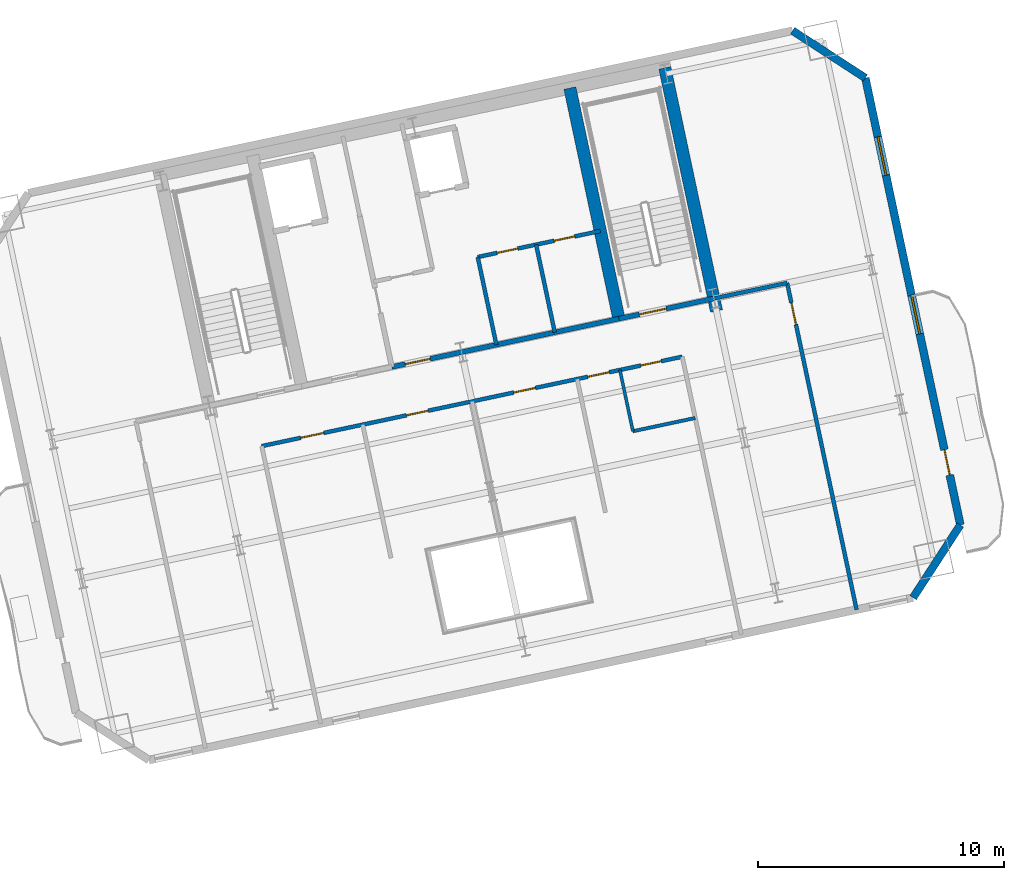
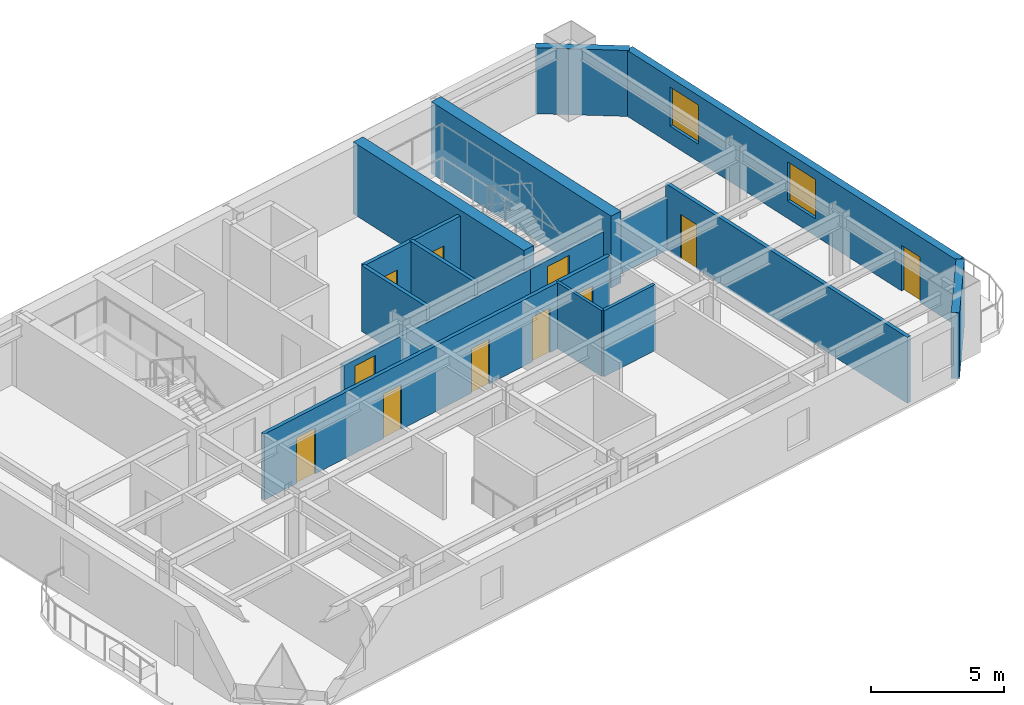
# One storey, part 9 of 14: 15 walls, 11 doors, 2 windows, 13 openings.
"""IFC4 building model written with IfcOpenShell, lengths in metres."""

from ifc_helpers import new_model, si_unit, direction, frame, frame_2d, origin, place, context, subcontext, project, spatial, rectangle, extrude, material, layer, layer_set, type_object, element, fill, save


model = new_model("IFC4")

# Units and contexts
model_context = context("Model", 3, precision=1e-05, world=origin(), true_north=direction((0.0, 1.0)))
body_context = subcontext(model_context, "Body", "Model", "MODEL_VIEW")
ifc_project = project(units=[si_unit("LENGTHUNIT", "METRE"), si_unit("AREAUNIT", "SQUARE_METRE"), si_unit("VOLUMEUNIT", "CUBIC_METRE"), si_unit("PLANEANGLEUNIT", "RADIAN"), si_unit("MASSUNIT", "GRAM", prefix="KILO")], contexts=[model_context])

# Site, building, storey
site_placement = place(None, origin())
site = spatial("IfcSite", under=ifc_project, at=site_placement, CompositionType="ELEMENT")
building_placement = place(site_placement, origin())
building = spatial("IfcBuilding", under=site, at=building_placement, Name="Haevon Station Towers", CompositionType="ELEMENT")
storey_placement = place(building_placement, frame((0.0, 0.0, 119.699951171875)))
storey = spatial("IfcBuildingStorey", under=building, at=storey_placement, Name="L32", CompositionType="ELEMENT", Elevation=119.699951171875)

# Wall, opening, door
ifc_material_1 = material(Name="Gypsum board on steel stud", Category="steel")
ifc_layer_1 = layer(ifc_material_1, 0.199951171875)
ifc_layer_set_1 = layer_set([ifc_layer_1], Name="Gypsum board on steel stud")
wall_type_1 = type_object("IfcWallType", Name="WL-COR200", PredefinedType="PARTITIONING", material=ifc_layer_set_1)
wall_1_placement = place(storey_placement, frame((115.4296875, 40.9873046875, 0.0), z_axis=(0.0, 0.0, 1.0), x_axis=(0.978146596989, 0.207916413008, 0.0)))
wall_1 = element("IfcWall", 1, at=wall_1_placement, inside=storey, type_object=wall_type_1, Name="WL-ST-ST4-L32", PredefinedType="PARTITIONING", context=body_context, shape_type="SweptSolid", body=[
    extrude(rectangle(XDim=3.9501953125, YDim=0.199951171875, at=frame_2d((1.97509765625, 0.0))), origin(), (0.0, 0.0, 1.0), 2.380126953125),
])
opening_1_placement = place(wall_1_placement, frame((0.85009765625, 0.0, 0.0)))
opening_1 = element("IfcOpeningElement", 2, at=opening_1_placement, cuts=wall_1, Name="Opening DR-ST-ST4-L32", PredefinedType="OPENING", context=body_context, shape_type="SweptSolid", body=[
    extrude(rectangle(XDim=1.1201171875, YDim=2.10009765625, at=frame_2d((0.56005859375, 1.050048828125))), frame((0.0, 0.10986328125, 0.0), z_axis=(0.0, -1.0, 0.0), x_axis=(1.0, 0.0, 0.0)), (0.0, 0.0, 1.0), 0.219970703125),
])
ifc_material_2 = material(Name="Engineered oak timber", Category="wood")
door_type_1 = type_object("IfcDoorType", Name="DR-ST-1120", OperationType="NOTDEFINED", PredefinedType="DOOR", material=ifc_material_2)
door_1_placement = place(opening_1_placement, origin())
door_1 = element("IfcDoor", 3, at=door_1_placement, inside=storey, type_object=door_type_1, Name="L32 Escape Stair ST4 Fire Door", OperationType="SINGLE_SWING_LEFT", OverallHeight=2.10009765625, OverallWidth=1.1201171875, PredefinedType="DOOR", context=body_context, shape_type="SweptSolid", body=[
    extrude(rectangle(XDim=1.1201171875, YDim=2.10009765625, at=frame_2d((0.56005859375, 1.050048828125))), frame((0.0, 0.02490234375, 0.0), z_axis=(0.0, -1.0, 0.0), x_axis=(1.0, 0.0, 0.0)), (0.0, 0.0, 1.0), 0.050048828125),
])
fill(opening_1, door_1)

wall_2_placement = place(storey_placement, frame((106.186279296875, 39.0224609375, 0.0), z_axis=(0.0, 0.0, 1.0), x_axis=(0.978145519981, 0.20792147975, 0.0)))
wall_2 = element("IfcWall", 4, at=wall_2_placement, inside=storey, type_object=wall_type_1, Name="WL-T2CLB-L32", PredefinedType="PARTITIONING", context=body_context, shape_type="SweptSolid", body=[
    extrude(rectangle(XDim=9.449951171875, YDim=0.199951171875, at=frame_2d((4.72509765625, 0.0))), origin(), (0.0, 0.0, 1.0), 2.380126953125),
])
opening_2_placement = place(wall_2_placement, frame((0.550048828125, 0.0, 0.0)))
opening_2 = element("IfcOpeningElement", 5, at=opening_2_placement, cuts=wall_2, Name="Opening DR-T2CLB-L32-1", PredefinedType="OPENING", context=body_context, shape_type="SweptSolid", body=[
    extrude(rectangle(XDim=1.050048828125, YDim=2.10009765625, at=frame_2d((0.52490234375, 1.050048828125))), frame((0.0, 0.10986328125, 0.0), z_axis=(0.0, -1.0, 0.0), x_axis=(1.0, 0.0, 0.0)), (0.0, 0.0, 1.0), 0.219970703125),
])
door_type_2 = type_object("IfcDoorType", Name="DR-FD60-1050", OperationType="NOTDEFINED", PredefinedType="DOOR", material=ifc_material_2)
door_2_placement = place(opening_2_placement, origin())
door_2 = element("IfcDoor", 6, at=door_2_placement, inside=storey, type_object=door_type_2, Name="L32 Tower 2 Core Lift Lobby Door 1", OperationType="SINGLE_SWING_RIGHT", OverallHeight=2.10009765625, OverallWidth=1.050048828125, PredefinedType="DOOR", context=body_context, shape_type="SweptSolid", body=[
    extrude(rectangle(XDim=1.050048828125, YDim=2.10009765625, at=frame_2d((0.52490234375, 1.050048828125))), frame((0.0, 0.02490234375, 0.0), z_axis=(0.0, -1.0, 0.0), x_axis=(1.0, 0.0, 0.0)), (0.0, 0.0, 1.0), 0.050048828125),
])
fill(opening_2, door_2)

# Walls
ifc_material_3 = material(Name="Concrete C60/75", Category="concrete")
ifc_layer_2 = layer(ifc_material_3, 0.5)
ifc_layer_set_2 = layer_set([ifc_layer_2], Name="Concrete C60/75")
wall_type_2 = type_object("IfcWallType", Name="WL-CR500", PredefinedType="SHEAR", material=ifc_layer_set_2)
wall_3_placement = place(storey_placement, frame((119.401611328125, 41.2998046875, 0.0), z_axis=(0.0, 0.0, 1.0), x_axis=(-0.207904342798, 0.978149162575, 0.0)))
element("IfcWall", 7, at=wall_3_placement, inside=storey, type_object=wall_type_2, Name="WL-T2CR-L32-E", PredefinedType="SHEAR", context=body_context, shape_type="SweptSolid", body=[
    extrude(rectangle(XDim=10.1201171875, YDim=0.5, at=frame_2d((5.06005859375, 0.0))), origin(), (0.0, 0.0, 1.0), 3.300048828125),
])
wall_4_placement = place(storey_placement, frame((115.4296875, 40.9873046875, 0.0), z_axis=(0.0, 0.0, 1.0), x_axis=(-0.207903162969, 0.978149413345, 0.0)))
element("IfcWall", 8, at=wall_4_placement, inside=storey, type_object=wall_type_2, Name="WL-T2CR-L32-M2", PredefinedType="SHEAR", context=body_context, shape_type="SweptSolid", body=[
    extrude(rectangle(XDim=9.599853515625, YDim=0.5, at=frame_2d((4.7998046875, 0.0))), origin(), (0.0, 0.0, 1.0), 3.300048828125),
])
ifc_material_4 = material(Name="Precast concrete C45/55", Category="concrete")
ifc_layer_3 = layer(ifc_material_4, 0.320068359375)
ifc_layer_set_3 = layer_set([ifc_layer_3], Name="Precast concrete C45/55")
wall_type_3 = type_object("IfcWallType", Name="WL-EXT-PIER320", PredefinedType="SOLIDWALL", material=ifc_layer_set_3)
wall_5_placement = place(storey_placement, frame((122.496337890625, 52.712646484375, 0.0), z_axis=(0.0, 0.0, 1.0), x_axis=(0.838672309694, -0.544636352948, 0.0)))
element("IfcWall", 9, at=wall_5_placement, inside=storey, type_object=wall_type_3, Name="WL-T2-L32-NEC", PredefinedType="SOLIDWALL", context=body_context, shape_type="SweptSolid", body=[
    extrude(rectangle(XDim=3.535400390625, YDim=0.320068359375, at=frame_2d((1.767578125, 0.0))), origin(), (0.0, 0.0, 1.0), 3.030029296875),
])

# Wall, openings, door, windows
wall_6_placement = place(storey_placement, frame((125.46142578125, 50.787109375, 0.0), z_axis=(0.0, 0.0, 1.0), x_axis=(0.207912600897, -0.97814740729, 0.0)))
wall_6 = element("IfcWall", 10, at=wall_6_placement, inside=storey, type_object=wall_type_3, Name="WL-T2-L32-E", PredefinedType="SOLIDWALL", context=body_context, shape_type="SweptSolid", body=[
    extrude(rectangle(XDim=18.60009765625, YDim=0.320068359375, at=frame_2d((9.300048828125, 0.0))), origin(), (0.0, 0.0, 1.0), 3.030029296875),
])
opening_3_placement = place(wall_6_placement, frame((15.47509765625, 0.0, 0.0)))
opening_3 = element("IfcOpeningElement", 11, at=opening_3_placement, cuts=wall_6, Name="Opening DR-T2-SCAL-L32-E", PredefinedType="OPENING", context=body_context, shape_type="SweptSolid", body=[
    extrude(rectangle(XDim=1.050048828125, YDim=2.10009765625, at=frame_2d((0.52490234375, 1.050048828125))), frame((0.0, 0.169921875, 0.0), z_axis=(0.0, -1.0, 0.0), x_axis=(1.0, 0.0, 0.0)), (0.0, 0.0, 1.0), 0.340087890625),
])
opening_4_placement = place(wall_6_placement, frame((2.449951171875, 0.0, 0.800048828125)))
opening_4 = element("IfcOpeningElement", 12, at=opening_4_placement, cuts=wall_6, Name="Opening WN-END160", PredefinedType="OPENING", context=body_context, shape_type="SweptSolid", body=[
    extrude(rectangle(XDim=1.60009765625, YDim=1.800048828125, at=frame_2d((0.800048828125, 0.89990234375))), frame((0.0, 0.169921875, 0.0), z_axis=(0.0, -1.0, 0.0), x_axis=(1.0, 0.0, 0.0)), (0.0, 0.0, 1.0), 0.340087890625),
])
opening_5_placement = place(wall_6_placement, frame((9.050048828125, 0.0, 0.800048828125)))
opening_5 = element("IfcOpeningElement", 13, at=opening_5_placement, cuts=wall_6, Name="Opening WN-END160", PredefinedType="OPENING", context=body_context, shape_type="SweptSolid", body=[
    extrude(rectangle(XDim=1.60009765625, YDim=1.800048828125, at=frame_2d((0.800048828125, 0.89990234375))), frame((0.0, 0.169921875, 0.0), z_axis=(0.0, -1.0, 0.0), x_axis=(1.0, 0.0, 0.0)), (0.0, 0.0, 1.0), 0.340087890625),
])
ifc_material_5 = material(Name="Thermally broken anodised aluminium and laminated safety glass", Category="aluminium")
door_type_3 = type_object("IfcDoorType", Name="DR-BALC-1050", OperationType="NOTDEFINED", PredefinedType="DOOR", material=ifc_material_5)
door_3_placement = place(opening_3_placement, origin())
door_3 = element("IfcDoor", 14, at=door_3_placement, inside=storey, type_object=door_type_3, Name="Tower 2 L32 East Scalloped Balcony Door", OperationType="SINGLE_SWING_LEFT", OverallHeight=2.10009765625, OverallWidth=1.050048828125, PredefinedType="DOOR", context=body_context, shape_type="SweptSolid", body=[
    extrude(rectangle(XDim=1.050048828125, YDim=2.10009765625, at=frame_2d((0.52490234375, 1.050048828125))), frame((0.0, 0.02490234375, 0.0), z_axis=(0.0, -1.0, 0.0), x_axis=(1.0, 0.0, 0.0)), (0.0, 0.0, 1.0), 0.050048828125),
])
fill(opening_3, door_3)
ifc_material_6 = material(Name="Low-E triple glazing in thermally broken aluminium", Category="aluminium")
window_type = type_object("IfcWindowType", Name="WN-END160", PartitioningType="SINGLE_PANEL", PredefinedType="WINDOW", material=ifc_material_6)
window_1_placement = place(opening_4_placement, origin())
window_1 = element("IfcWindow", 15, at=window_1_placement, inside=storey, type_object=window_type, Name="WN-T2-L32-E01", OverallHeight=1.800048828125, OverallWidth=1.60009765625, PartitioningType="SINGLE_PANEL", PredefinedType="WINDOW", context=body_context, shape_type="SweptSolid", body=[
    extrude(rectangle(XDim=1.60009765625, YDim=1.800048828125, at=frame_2d((0.800048828125, 0.89990234375))), frame((0.0, 0.030029296875, 0.0), z_axis=(0.0, -1.0, 0.0), x_axis=(1.0, 0.0, 0.0)), (0.0, 0.0, 1.0), 0.06005859375),
])
fill(opening_4, window_1)
window_2_placement = place(opening_5_placement, origin())
window_2 = element("IfcWindow", 16, at=window_2_placement, inside=storey, type_object=window_type, Name="WN-T2-L32-E02", OverallHeight=1.800048828125, OverallWidth=1.60009765625, PartitioningType="SINGLE_PANEL", PredefinedType="WINDOW", context=body_context, shape_type="SweptSolid", body=[
    extrude(rectangle(XDim=1.60009765625, YDim=1.800048828125, at=frame_2d((0.800048828125, 0.89990234375))), frame((0.0, 0.030029296875, 0.0), z_axis=(0.0, -1.0, 0.0), x_axis=(1.0, 0.0, 0.0)), (0.0, 0.0, 1.0), 0.06005859375),
])
fill(opening_5, window_2)

# Walls
wall_7_placement = place(storey_placement, frame((129.32861328125, 32.593505859375, 0.0), z_axis=(0.0, 0.0, 1.0), x_axis=(-0.544636352948, -0.838672309694, 0.0)))
element("IfcWall", 17, at=wall_7_placement, inside=storey, type_object=wall_type_3, Name="WL-T2-L32-SEC", PredefinedType="SOLIDWALL", context=body_context, shape_type="SweptSolid", body=[
    extrude(rectangle(XDim=3.535400390625, YDim=0.320068359375, at=frame_2d((1.767578125, 0.0))), origin(), (0.0, 0.0, 1.0), 3.030029296875),
])
ifc_layer_4 = layer(ifc_material_1, 0.125)
ifc_layer_set_4 = layer_set([ifc_layer_4], Name="Gypsum board on steel stud")
wall_type_4 = type_object("IfcWallType", Name="WL-PRT125", PredefinedType="PARTITIONING", material=ifc_layer_set_4)
wall_8_placement = place(storey_placement, frame((115.999755859375, 36.40576171875, 0.0), z_axis=(0.0, 0.0, 1.0), x_axis=(-0.207867916886, 0.978156904147, 0.0)))
element("IfcWall", 18, at=wall_8_placement, inside=storey, type_object=wall_type_4, Name="WL-T2PT-L32-17", PredefinedType="PARTITIONING", context=body_context, shape_type="SweptSolid", body=[
    extrude(rectangle(XDim=2.5498046875, YDim=0.125, at=frame_2d((1.27490234375, 0.0))), origin(), (0.0, 0.0, 1.0), 3.030029296875),
])
ifc_layer_5 = layer(ifc_material_1, 0.139892578125)
ifc_layer_set_5 = layer_set([ifc_layer_5], Name="Gypsum board on steel stud")
wall_type_5 = type_object("IfcWallType", Name="WL-PRT140", PredefinedType="PARTITIONING", material=ifc_layer_set_5)
wall_9_placement = place(storey_placement, frame((115.999755859375, 36.40576171875, 0.0), z_axis=(0.0, 0.0, 1.0), x_axis=(0.97814665502, 0.207916140001, 0.0)))
element("IfcWall", 19, at=wall_9_placement, inside=storey, type_object=wall_type_5, Name="WL-T2PT-L32-16", PredefinedType="PARTITIONING", context=body_context, shape_type="SweptSolid", body=[
    extrude(rectangle(XDim=2.594970703125, YDim=0.139892578125, at=frame_2d((1.29736328125, 0.0))), origin(), (0.0, 0.0, 1.0), 3.030029296875),
])
ifc_layer_6 = layer(ifc_material_1, 0.159912109375)
ifc_layer_set_6 = layer_set([ifc_layer_6], Name="Gypsum board on steel stud")
wall_type_6 = type_object("IfcWallType", Name="WL-PRT160", PredefinedType="PARTITIONING", material=ifc_layer_set_6)
for number, where, z_axis, x_axis, name in (
    (20, (110.441162109375, 39.927001953125, 0.0), (0.0, 0.0, 1.0), (-0.207884354546, 0.978153410838, 0.0), "WL-T2CW-L32-05"),
    (21, (112.818115234375, 40.43212890625, 0.0), (0.0, 0.0, 1.0), (-0.207884354546, 0.978153410838, 0.0), "WL-T2CW-L32-06"),
):
    element("IfcWall", number, at=place(storey_placement, frame(where, z_axis=z_axis, x_axis=x_axis)), inside=storey, type_object=wall_type_6, Name=name, PredefinedType="PARTITIONING", context=body_context, shape_type="SweptSolid", body=[
        extrude(rectangle(XDim=3.650146484375, YDim=0.159912109375, at=frame_2d((1.8251953125, 0.0))), origin(), (0.0, 0.0, 1.0), 3.030029296875),
    ])

# Wall, openings, doors
wall_10_placement = place(storey_placement, frame((109.682373046875, 43.497314453125, 0.0), z_axis=(0.0, 0.0, 1.0), x_axis=(0.978149238447, 0.207903985835, 0.0)))
wall_10 = element("IfcWall", 22, at=wall_10_placement, inside=storey, type_object=wall_type_6, Name="WL-T2CW-L32-07", PredefinedType="PARTITIONING", context=body_context, shape_type="SweptSolid", body=[
    extrude(rectangle(XDim=5.099853515625, YDim=0.159912109375, at=frame_2d((2.5498046875, 0.0))), origin(), (0.0, 0.0, 1.0), 3.030029296875),
])
opening_6_placement = place(wall_10_placement, frame((0.81005859375, 0.0, 0.0)))
opening_6 = element("IfcOpeningElement", 23, at=opening_6_placement, cuts=wall_10, Name="Opening DR-WL-T2CW-L32-07-1", PredefinedType="OPENING", context=body_context, shape_type="SweptSolid", body=[
    extrude(rectangle(XDim=0.85009765625, YDim=2.050048828125, at=frame_2d((0.425048828125, 1.02490234375))), frame((0.0, 0.08984375, 0.0), z_axis=(0.0, -1.0, 0.0), x_axis=(1.0, 0.0, 0.0)), (0.0, 0.0, 1.0), 0.179931640625),
])
opening_7_placement = place(wall_10_placement, frame((3.179931640625, 0.0, 0.0)))
opening_7 = element("IfcOpeningElement", 24, at=opening_7_placement, cuts=wall_10, Name="Opening DR-WL-T2CW-L32-07-2", PredefinedType="OPENING", context=body_context, shape_type="SweptSolid", body=[
    extrude(rectangle(XDim=0.85009765625, YDim=2.050048828125, at=frame_2d((0.425048828125, 1.02490234375))), frame((0.0, 0.08984375, 0.0), z_axis=(0.0, -1.0, 0.0), x_axis=(1.0, 0.0, 0.0)), (0.0, 0.0, 1.0), 0.179931640625),
])
door_type_4 = type_object("IfcDoorType", Name="DR-FD30-850", OperationType="NOTDEFINED", PredefinedType="DOOR", material=ifc_material_2)
door_4_placement = place(opening_6_placement, origin())
door_4 = element("IfcDoor", 25, at=door_4_placement, inside=storey, type_object=door_type_4, Name="L32 Tower 2 Core Room Door 7-1", OperationType="SINGLE_SWING_RIGHT", OverallHeight=2.050048828125, OverallWidth=0.85009765625, PredefinedType="DOOR", context=body_context, shape_type="SweptSolid", body=[
    extrude(rectangle(XDim=0.85009765625, YDim=2.050048828125, at=frame_2d((0.425048828125, 1.02490234375))), frame((0.0, 0.02490234375, 0.0), z_axis=(0.0, -1.0, 0.0), x_axis=(1.0, 0.0, 0.0)), (0.0, 0.0, 1.0), 0.050048828125),
])
fill(opening_6, door_4)
door_5_placement = place(opening_7_placement, origin())
door_5 = element("IfcDoor", 26, at=door_5_placement, inside=storey, type_object=door_type_4, Name="L32 Tower 2 Core Room Door 7-2", OperationType="SINGLE_SWING_LEFT", OverallHeight=2.050048828125, OverallWidth=0.85009765625, PredefinedType="DOOR", context=body_context, shape_type="SweptSolid", body=[
    extrude(rectangle(XDim=0.85009765625, YDim=2.050048828125, at=frame_2d((0.425048828125, 1.02490234375))), frame((0.0, 0.02490234375, 0.0), z_axis=(0.0, -1.0, 0.0), x_axis=(1.0, 0.0, 0.0)), (0.0, 0.0, 1.0), 0.050048828125),
])
fill(opening_7, door_5)

# Wall
wall_11_placement = place(storey_placement, frame((119.29345703125, 41.80859375, 0.0), z_axis=(0.0, 0.0, 1.0), x_axis=(0.978154782045, 0.207877902534, 0.0)))
element("IfcWall", 27, at=wall_11_placement, inside=storey, type_object=wall_type_6, Name="WL-T2PT-L32-04", PredefinedType="PARTITIONING", context=body_context, shape_type="SweptSolid", body=[
    extrude(rectangle(XDim=3.050048828125, YDim=0.159912109375, at=frame_2d((1.52490234375, 0.0))), origin(), (0.0, 0.0, 1.0), 2.380126953125),
])

# Wall, opening, door
wall_12_placement = place(storey_placement, frame((125.1044921875, 29.139892578125, 0.0), z_axis=(0.0, 0.0, 1.0), x_axis=(-0.207915436261, 0.978146804608, 0.0)))
wall_12 = element("IfcWall", 28, at=wall_12_placement, inside=storey, type_object=wall_type_6, Name="WL-T2PT-L32-06", PredefinedType="PARTITIONING", context=body_context, shape_type="SweptSolid", body=[
    extrude(rectangle(XDim=13.599853515625, YDim=0.159912109375, at=frame_2d((6.7998046875, 0.0))), origin(), (0.0, 0.0, 1.0), 3.030029296875),
])
opening_8_placement = place(wall_12_placement, frame((11.8701171875, 0.0, 0.0)))
opening_8 = element("IfcOpeningElement", 29, at=opening_8_placement, cuts=wall_12, Name="Opening DR-WL-T2PT-L32-06-01", PredefinedType="OPENING", context=body_context, shape_type="SweptSolid", body=[
    extrude(rectangle(XDim=0.89990234375, YDim=2.050048828125, at=frame_2d((0.449951171875, 1.02490234375))), frame((0.0, 0.08984375, 0.0), z_axis=(0.0, -1.0, 0.0), x_axis=(1.0, 0.0, 0.0)), (0.0, 0.0, 1.0), 0.179931640625),
])
door_type_5 = type_object("IfcDoorType", Name="DR-INT-900", OperationType="NOTDEFINED", PredefinedType="DOOR", material=ifc_material_2)
door_6_placement = place(opening_8_placement, origin())
door_6 = element("IfcDoor", 30, at=door_6_placement, inside=storey, type_object=door_type_5, Name="L32 Tower 2 Room Door 6-1", OperationType="SINGLE_SWING_LEFT", OverallHeight=2.050048828125, OverallWidth=0.89990234375, PredefinedType="DOOR", context=body_context, shape_type="SweptSolid", body=[
    extrude(rectangle(XDim=0.89990234375, YDim=2.050048828125, at=frame_2d((0.449951171875, 1.02490234375))), frame((0.0, 0.02490234375, 0.0), z_axis=(0.0, -1.0, 0.0), x_axis=(1.0, 0.0, 0.0)), (0.0, 0.0, 1.0), 0.050048828125),
])
fill(opening_8, door_6)

# Wall, openings, doors
wall_13_placement = place(storey_placement, frame((100.890380859375, 35.801025390625, 0.0), z_axis=(0.0, 0.0, 1.0), x_axis=(0.978147538907, 0.207911981691, 0.0)))
wall_13 = element("IfcWall", 31, at=wall_13_placement, inside=storey, type_object=wall_type_6, Name="WL-T2PT-L32-18", PredefinedType="PARTITIONING", context=body_context, shape_type="SweptSolid", body=[
    extrude(rectangle(XDim=17.499755859375, YDim=0.159912109375, at=frame_2d((8.75, 0.0))), origin(), (0.0, 0.0, 1.0), 3.030029296875),
])
opening_9_placement = place(wall_13_placement, frame((1.625, 0.0, 0.0)))
opening_9 = element("IfcOpeningElement", 32, at=opening_9_placement, cuts=wall_13, Name="Opening DR-WL-T2PT-L32-18-01", PredefinedType="OPENING", context=body_context, shape_type="SweptSolid", body=[
    extrude(rectangle(XDim=0.949951171875, YDim=2.10009765625, at=frame_2d((0.47509765625, 1.050048828125))), frame((0.0, 0.08984375, 0.0), z_axis=(0.0, -1.0, 0.0), x_axis=(1.0, 0.0, 0.0)), (0.0, 0.0, 1.0), 0.179931640625),
])
opening_10_placement = place(wall_13_placement, frame((6.02490234375, 0.0, 0.0)))
opening_10 = element("IfcOpeningElement", 33, at=opening_10_placement, cuts=wall_13, Name="Opening DR-WL-T2PT-L32-18-02", PredefinedType="OPENING", context=body_context, shape_type="SweptSolid", body=[
    extrude(rectangle(XDim=0.89990234375, YDim=2.050048828125, at=frame_2d((0.449951171875, 1.02490234375))), frame((0.0, 0.08984375, 0.0), z_axis=(0.0, -1.0, 0.0), x_axis=(1.0, 0.0, 0.0)), (0.0, 0.0, 1.0), 0.179931640625),
])
opening_11_placement = place(wall_13_placement, frame((10.488037109375, 0.0, 0.0)))
opening_11 = element("IfcOpeningElement", 34, at=opening_11_placement, cuts=wall_13, Name="Opening DR-WL-T2PT-L32-18-03", PredefinedType="OPENING", context=body_context, shape_type="SweptSolid", body=[
    extrude(rectangle(XDim=0.89990234375, YDim=2.050048828125, at=frame_2d((0.449951171875, 1.02490234375))), frame((0.0, 0.08984375, 0.0), z_axis=(0.0, -1.0, 0.0), x_axis=(1.0, 0.0, 0.0)), (0.0, 0.0, 1.0), 0.179931640625),
])
opening_12_placement = place(wall_13_placement, frame((15.777099609375, 0.0, 0.0)))
opening_12 = element("IfcOpeningElement", 35, at=opening_12_placement, cuts=wall_13, Name="Opening DR-WL-T2PT-L32-18-04", PredefinedType="OPENING", context=body_context, shape_type="SweptSolid", body=[
    extrude(rectangle(XDim=0.85009765625, YDim=2.050048828125, at=frame_2d((0.425048828125, 1.02490234375))), frame((0.0, 0.08984375, 0.0), z_axis=(0.0, -1.0, 0.0), x_axis=(1.0, 0.0, 0.0)), (0.0, 0.0, 1.0), 0.179931640625),
])
opening_13_placement = place(wall_13_placement, frame((13.56494140625, 0.0, 0.0)))
opening_13 = element("IfcOpeningElement", 36, at=opening_13_placement, cuts=wall_13, Name="Opening DR-WL-T2PT-L32-18-05", PredefinedType="OPENING", context=body_context, shape_type="SweptSolid", body=[
    extrude(rectangle(XDim=0.89990234375, YDim=2.050048828125, at=frame_2d((0.449951171875, 1.02490234375))), frame((0.0, 0.08984375, 0.0), z_axis=(0.0, -1.0, 0.0), x_axis=(1.0, 0.0, 0.0)), (0.0, 0.0, 1.0), 0.179931640625),
])
door_7_placement = place(opening_12_placement, origin())
door_7 = element("IfcDoor", 37, at=door_7_placement, inside=storey, type_object=door_type_4, Name="L32 Tower 2 Room Door 18-4", OperationType="SINGLE_SWING_LEFT", OverallHeight=2.050048828125, OverallWidth=0.85009765625, PredefinedType="DOOR", context=body_context, shape_type="SweptSolid", body=[
    extrude(rectangle(XDim=0.85009765625, YDim=2.050048828125, at=frame_2d((0.425048828125, 1.02490234375))), frame((0.0, 0.02490234375, 0.0), z_axis=(0.0, -1.0, 0.0), x_axis=(1.0, 0.0, 0.0)), (0.0, 0.0, 1.0), 0.050048828125),
])
fill(opening_12, door_7)
door_type_6 = type_object("IfcDoorType", Name="DR-FD30-950", OperationType="NOTDEFINED", PredefinedType="DOOR", material=ifc_material_2)
door_8_placement = place(opening_9_placement, origin())
door_8 = element("IfcDoor", 38, at=door_8_placement, inside=storey, type_object=door_type_6, Name="L32 Tower 2 Room Door 18-1", OperationType="SINGLE_SWING_RIGHT", OverallHeight=2.10009765625, OverallWidth=0.949951171875, PredefinedType="DOOR", context=body_context, shape_type="SweptSolid", body=[
    extrude(rectangle(XDim=0.949951171875, YDim=2.10009765625, at=frame_2d((0.47509765625, 1.050048828125))), frame((0.0, 0.02490234375, 0.0), z_axis=(0.0, -1.0, 0.0), x_axis=(1.0, 0.0, 0.0)), (0.0, 0.0, 1.0), 0.050048828125),
])
fill(opening_9, door_8)
door_9_placement = place(opening_10_placement, origin())
door_9 = element("IfcDoor", 39, at=door_9_placement, inside=storey, type_object=door_type_5, Name="L32 Tower 2 Room Door 18-2", OperationType="SINGLE_SWING_LEFT", OverallHeight=2.050048828125, OverallWidth=0.89990234375, PredefinedType="DOOR", context=body_context, shape_type="SweptSolid", body=[
    extrude(rectangle(XDim=0.89990234375, YDim=2.050048828125, at=frame_2d((0.449951171875, 1.02490234375))), frame((0.0, 0.02490234375, 0.0), z_axis=(0.0, -1.0, 0.0), x_axis=(1.0, 0.0, 0.0)), (0.0, 0.0, 1.0), 0.050048828125),
])
fill(opening_10, door_9)
door_10_placement = place(opening_11_placement, origin())
door_10 = element("IfcDoor", 40, at=door_10_placement, inside=storey, type_object=door_type_5, Name="L32 Tower 2 Room Door 18-3", OperationType="SINGLE_SWING_RIGHT", OverallHeight=2.050048828125, OverallWidth=0.89990234375, PredefinedType="DOOR", context=body_context, shape_type="SweptSolid", body=[
    extrude(rectangle(XDim=0.89990234375, YDim=2.050048828125, at=frame_2d((0.449951171875, 1.02490234375))), frame((0.0, 0.02490234375, 0.0), z_axis=(0.0, -1.0, 0.0), x_axis=(1.0, 0.0, 0.0)), (0.0, 0.0, 1.0), 0.050048828125),
])
fill(opening_11, door_10)
door_11_placement = place(opening_13_placement, origin())
door_11 = element("IfcDoor", 41, at=door_11_placement, inside=storey, type_object=door_type_5, Name="L32 Tower 2 Room Door 18-5", OperationType="SINGLE_SWING_RIGHT", OverallHeight=2.050048828125, OverallWidth=0.89990234375, PredefinedType="DOOR", context=body_context, shape_type="SweptSolid", body=[
    extrude(rectangle(XDim=0.89990234375, YDim=2.050048828125, at=frame_2d((0.449951171875, 1.02490234375))), frame((0.0, 0.02490234375, 0.0), z_axis=(0.0, -1.0, 0.0), x_axis=(1.0, 0.0, 0.0)), (0.0, 0.0, 1.0), 0.050048828125),
])
fill(opening_13, door_11)

save(model, "model.ifc")
